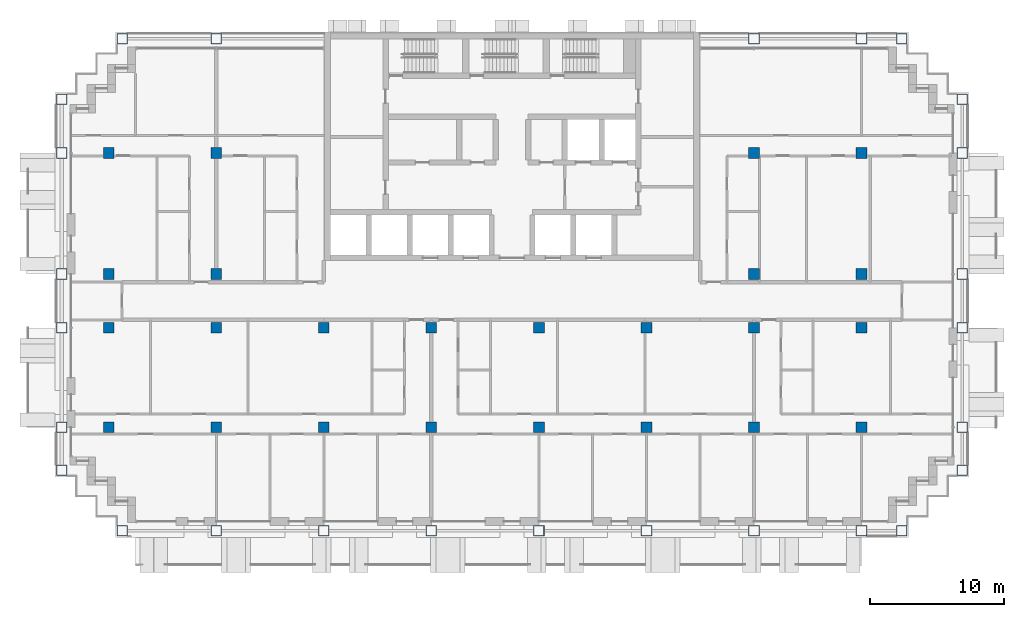
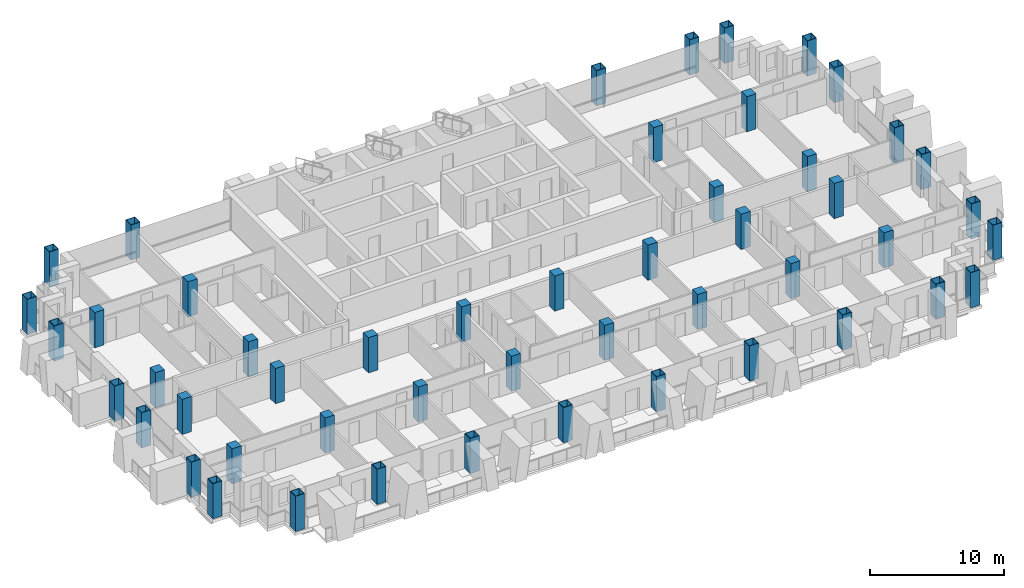
# One storey, part 1 of 16: 50 columns.
"""IFC4 building model written with IfcOpenShell, lengths in metres."""

from ifc_helpers import new_model, si_unit, direction, frame, origin, origin_2d, place, context, subcontext, project, spatial, rectangle, hollow_rectangle, extrude, material, material_profile, profile_set, type_object, element, save


model = new_model("IFC4")

# Units and contexts
model_context = context("Model", 3, precision=1e-05, world=origin(), true_north=direction((0.0, 1.0)))
body_context = subcontext(model_context, "Body", "Model", "MODEL_VIEW")
ifc_project = project(units=[si_unit("LENGTHUNIT", "METRE"), si_unit("AREAUNIT", "SQUARE_METRE"), si_unit("VOLUMEUNIT", "CUBIC_METRE"), si_unit("PLANEANGLEUNIT", "RADIAN"), si_unit("MASSUNIT", "GRAM", prefix="KILO")], contexts=[model_context])

# Site, building, storey
site_placement = place(None, origin())
site = spatial("IfcSite", under=ifc_project, at=site_placement, CompositionType="ELEMENT")
building_placement = place(site_placement, origin())
building = spatial("IfcBuilding", under=site, at=building_placement, Name="Vidyagriha Tower", CompositionType="ELEMENT")
storey_placement = place(building_placement, frame((0.0, 0.0, 145.39990234375)))
storey = spatial("IfcBuildingStorey", under=building, at=storey_placement, Name="L38", CompositionType="ELEMENT", Elevation=145.39990234375)

# Columns
ifc_material_1 = material(Name="Steel ASTM A572 Grade 50", Category="steel")
ifc_material_profile_1 = material_profile(ifc_material_1, hollow_rectangle(XDim=0.800048828125, YDim=0.800048828125, WallThickness=0.0400390625, at=origin_2d()), Name="BOX 800x800x40")
ifc_profile_set_1 = profile_set([ifc_material_profile_1], Name="Steel ASTM A572 Grade 50")
column_type_1 = type_object("IfcColumnType", Name="Exoskeleton column BOX 800x800x40", PredefinedType="COLUMN", material=ifc_profile_set_1)
for number, where, name in (
    (1, (-29.0, -17.10009765625, 0.0), "st-col-L38-B3-001"),
    (2, (-22.0, -17.10009765625, 0.0), "st-col-L38-B3-002"),
    (3, (-14.0, -17.10009765625, 0.0), "st-col-L38-B3-003"),
    (4, (-6.0, -17.10009765625, 0.0), "st-col-L38-B3-004"),
    (5, (2.0, -17.10009765625, 0.0), "st-col-L38-B3-005"),
    (6, (10.0, -17.10009765625, 0.0), "st-col-L38-B3-006"),
    (7, (18.0, -17.10009765625, 0.0), "st-col-L38-B3-007"),
    (8, (26.0, -17.10009765625, 0.0), "st-col-L38-B3-008"),
    (9, (29.0, -17.10009765625, 0.0), "st-col-L38-B3-009"),
    (10, (-33.5, -12.60009765625, 0.0), "st-col-L38-B3-010"),
    (11, (33.5, -12.60009765625, 0.0), "st-col-L38-B3-011"),
    (12, (-33.5, -9.39990234375, 0.0), "st-col-L38-B3-012"),
    (13, (33.5, -9.39990234375, 0.0), "st-col-L38-B3-021"),
    (14, (-33.5, -2.0, 0.0), "st-col-L38-B3-022"),
    (15, (33.5, -2.0, 0.0), "st-col-L38-B3-031"),
    (16, (-33.5, 2.0, 0.0), "st-col-L38-B3-032"),
    (17, (33.5, 2.0, 0.0), "st-col-L38-B3-037"),
    (18, (-33.5, 11.0, 0.0), "st-col-L38-B3-038"),
    (19, (33.5, 11.0, 0.0), "st-col-L38-B3-043"),
    (20, (-33.5, 15.0, 0.0), "st-col-L38-B3-044"),
    (21, (33.5, 15.0, 0.0), "st-col-L38-B3-045"),
    (22, (-29.0, 19.5, 0.0), "st-col-L38-B3-046"),
    (23, (-22.0, 19.5, 0.0), "st-col-L38-B3-047"),
    (24, (18.0, 19.5, 0.0), "st-col-L38-B3-048"),
    (25, (26.0, 19.5, 0.0), "st-col-L38-B3-049"),
    (26, (29.0, 19.5, 0.0), "st-col-L38-B3-050"),
):
    element("IfcColumn", number, at=place(storey_placement, frame(where)), inside=storey, type_object=column_type_1, Name=name, PredefinedType="COLUMN", context=body_context, shape_type="SweptSolid", body=[
        extrude(hollow_rectangle(XDim=0.800048828125, YDim=0.800048828125, WallThickness=0.0400390625, at=origin_2d()), origin(), (0.0, 0.0, 1.0), 3.2001953125),
    ])
ifc_material_2 = material(Name="Concrete C80/95", Category="concrete")
ifc_material_profile_2 = material_profile(ifc_material_2, rectangle(XDim=0.800048828125, YDim=0.800048828125, at=origin_2d()), Name="RC 800x800")
ifc_profile_set_2 = profile_set([ifc_material_profile_2], Name="Concrete C80/95")
column_type_2 = type_object("IfcColumnType", Name="Frame column RC 800x800", PredefinedType="COLUMN", material=ifc_profile_set_2)
for number, where, name in (
    (27, (-30.0, -9.39990234375, 0.0), "st-col-L38-B3-013"),
    (28, (-22.0, -9.39990234375, 0.0), "st-col-L38-B3-014"),
    (29, (-14.0, -9.39990234375, 0.0), "st-col-L38-B3-015"),
    (30, (-6.0, -9.39990234375, 0.0), "st-col-L38-B3-016"),
    (31, (2.0, -9.39990234375, 0.0), "st-col-L38-B3-017"),
    (32, (10.0, -9.39990234375, 0.0), "st-col-L38-B3-018"),
    (33, (18.0, -9.39990234375, 0.0), "st-col-L38-B3-019"),
    (34, (26.0, -9.39990234375, 0.0), "st-col-L38-B3-020"),
    (35, (-30.0, -2.0, 0.0), "st-col-L38-B3-023"),
    (36, (-22.0, -2.0, 0.0), "st-col-L38-B3-024"),
    (37, (-14.0, -2.0, 0.0), "st-col-L38-B3-025"),
    (38, (-6.0, -2.0, 0.0), "st-col-L38-B3-026"),
    (39, (2.0, -2.0, 0.0), "st-col-L38-B3-027"),
    (40, (10.0, -2.0, 0.0), "st-col-L38-B3-028"),
    (41, (18.0, -2.0, 0.0), "st-col-L38-B3-029"),
    (42, (26.0, -2.0, 0.0), "st-col-L38-B3-030"),
    (43, (-30.0, 2.0, 0.0), "st-col-L38-B3-033"),
    (44, (-22.0, 2.0, 0.0), "st-col-L38-B3-034"),
    (45, (18.0, 2.0, 0.0), "st-col-L38-B3-035"),
    (46, (26.0, 2.0, 0.0), "st-col-L38-B3-036"),
    (47, (-30.0, 11.0, 0.0), "st-col-L38-B3-039"),
    (48, (-22.0, 11.0, 0.0), "st-col-L38-B3-040"),
    (49, (18.0, 11.0, 0.0), "st-col-L38-B3-041"),
    (50, (26.0, 11.0, 0.0), "st-col-L38-B3-042"),
):
    element("IfcColumn", number, at=place(storey_placement, frame(where)), inside=storey, type_object=column_type_2, Name=name, PredefinedType="COLUMN", context=body_context, shape_type="SweptSolid", body=[
        extrude(rectangle(XDim=0.800048828125, YDim=0.800048828125, at=origin_2d()), origin(), (0.0, 0.0, 1.0), 3.2001953125),
    ])

save(model, "model.ifc")
